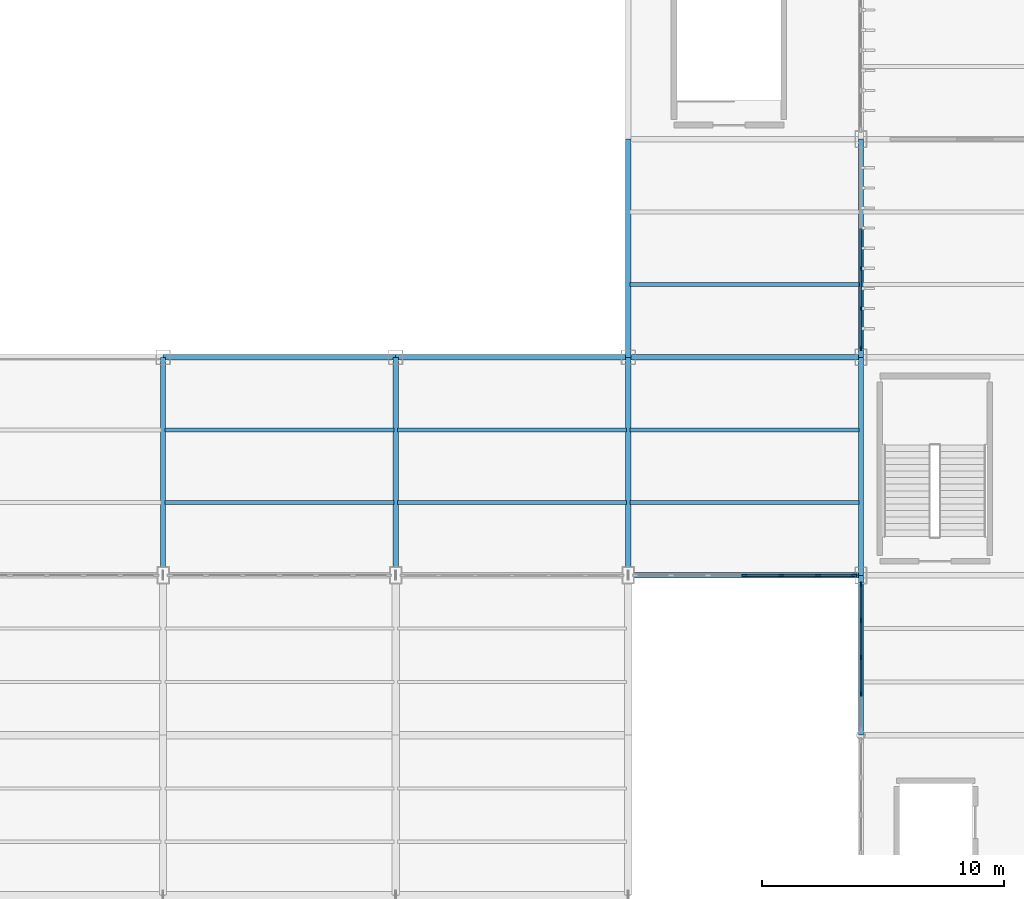
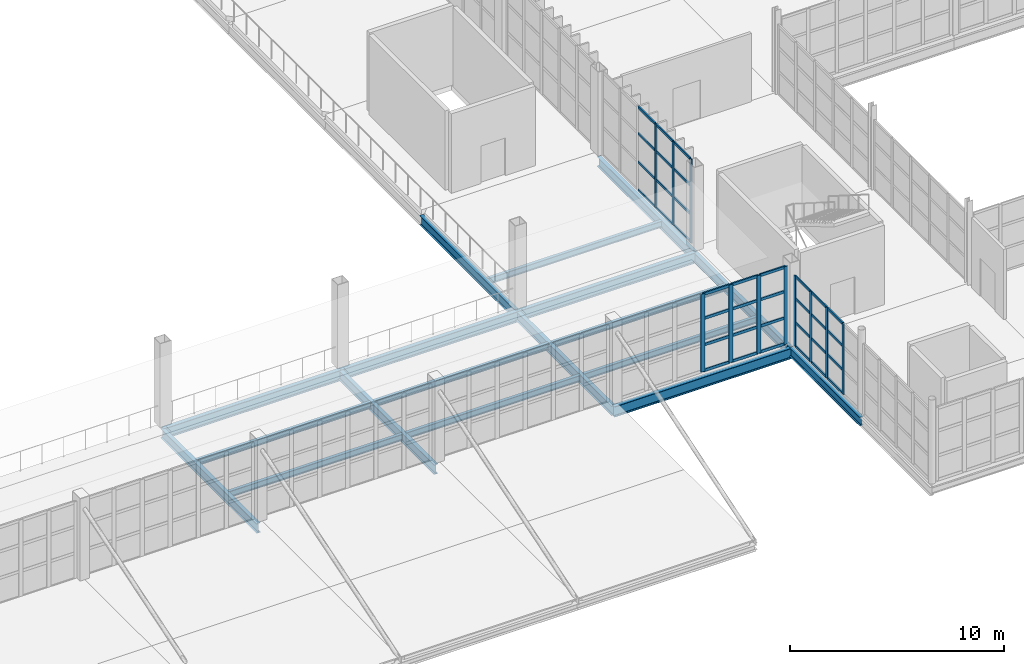
# One storey, part 32 of 120: 47 members, 18 beams, 3 elements without a shape of their own.
"""IFC4 building model written with IfcOpenShell, lengths in metres."""

from ifc_helpers import new_model, si_unit, direction, frame, origin, origin_2d, place, context, subcontext, project, spatial, rectangle, i_section, extrude, material, layer, layer_set, material_profile, profile_set, type_object, element, aggregate, save


model = new_model("IFC4")

# Units and contexts
model_context = context("Model", 3, precision=1e-05, world=origin(), true_north=direction((0.0, 1.0)))
body_context = subcontext(model_context, "Body", "Model", "MODEL_VIEW")
ifc_project = project(units=[si_unit("LENGTHUNIT", "METRE"), si_unit("AREAUNIT", "SQUARE_METRE"), si_unit("VOLUMEUNIT", "CUBIC_METRE"), si_unit("PLANEANGLEUNIT", "RADIAN"), si_unit("MASSUNIT", "GRAM", prefix="KILO")], contexts=[model_context])

# Site, building, storey
site_placement = place(None, origin())
site = spatial("IfcSite", under=ifc_project, at=site_placement, CompositionType="ELEMENT")
building_placement = place(site_placement, origin())
building = spatial("IfcBuilding", under=site, at=building_placement, Name="Zarnetskaya Central Station", CompositionType="ELEMENT")
storey_placement = place(building_placement, frame((0.0, 0.0, 5.39990234375)))
storey = spatial("IfcBuildingStorey", under=building, at=storey_placement, Name="L01", CompositionType="ELEMENT", Elevation=5.39990234375)

# Beams
ifc_material_1 = material(Name="Steel S355", Category="steel")
ifc_material_profile_1 = material_profile(ifc_material_1, i_section(OverallWidth=0.169921875, OverallDepth=0.360107421875, WebThickness=0.008056640625, FlangeThickness=0.0126953125, FilletRadius=0.01806640625, at=origin_2d()), Name="IPE 360")
ifc_profile_set_1 = profile_set([ifc_material_profile_1], Name="Steel S355")
beam_type_1 = type_object("IfcBeamType", Name="BM-SEC-360", PredefinedType="BEAM", material=ifc_profile_set_1)
for number, where, z_axis, x_axis, name in (
    (1, (96.080078125, 16.199951171875, -0.4599609375), (1.0, 0.0, 0.0), (0.0, 1.0, 0.0), "Secondary floor beam SEC-L01-Z512-LM-34-1"),
    (2, (96.080078125, 19.199951171875, -0.4599609375), (1.0, 0.0, 0.0), (0.0, 1.0, 0.0), "Secondary floor beam SEC-L01-Z512-LM-34-2"),
):
    element("IfcBeam", number, at=place(storey_placement, frame(where, z_axis=z_axis, x_axis=x_axis)), inside=storey, type_object=beam_type_1, Name=name, PredefinedType="BEAM", context=body_context, shape_type="SweptSolid", body=[
        extrude(i_section(OverallWidth=0.169921875, OverallDepth=0.360107421875, WebThickness=0.008056640625, FlangeThickness=0.0126953125, FilletRadius=0.01806640625, at=origin_2d()), origin(), (0.0, 0.0, 1.0), 9.43994140625),
    ])
for number, where, z_axis, x_axis, name in (
    (3, (105.679931640625, 16.199951171875, -0.4599609375), (1.0, 0.0, 0.0), (0.0, 1.0, 0.0), "Secondary floor beam SEC-L01-Z512-MN-34-1"),
    (4, (105.679931640625, 19.199951171875, -0.4599609375), (1.0, 0.0, 0.0), (0.0, 1.0, 0.0), "Secondary floor beam SEC-L01-Z512-MN-34-2"),
):
    element("IfcBeam", number, at=place(storey_placement, frame(where, z_axis=z_axis, x_axis=x_axis)), inside=storey, type_object=beam_type_1, Name=name, PredefinedType="BEAM", context=body_context, shape_type="SweptSolid", body=[
        extrude(i_section(OverallWidth=0.169921875, OverallDepth=0.360107421875, WebThickness=0.008056640625, FlangeThickness=0.0126953125, FilletRadius=0.01806640625, at=origin_2d()), origin(), (0.0, 0.0, 1.0), 9.440185546875),
    ])
for number, where, z_axis, x_axis, name in (
    (5, (115.280029296875, 16.199951171875, -0.4599609375), (1.0, 0.0, 0.0), (0.0, 1.0, 0.0), "Secondary floor beam SEC-L01-Z512-NP-34-1"),
    (6, (115.280029296875, 19.199951171875, -0.4599609375), (1.0, 0.0, 0.0), (0.0, 1.0, 0.0), "Secondary floor beam SEC-L01-Z512-NP-34-2"),
    (7, (115.280029296875, 25.199951171875, -0.4599609375), (1.0, 0.0, 0.0), (0.0, 1.0, 0.0), "Secondary floor beam SEC-L01-Z512-NP-45-1"),
):
    element("IfcBeam", number, at=place(storey_placement, frame(where, z_axis=z_axis, x_axis=x_axis)), inside=storey, type_object=beam_type_1, Name=name, PredefinedType="BEAM", context=body_context, shape_type="SweptSolid", body=[
        extrude(i_section(OverallWidth=0.169921875, OverallDepth=0.360107421875, WebThickness=0.008056640625, FlangeThickness=0.0126953125, FilletRadius=0.01806640625, at=origin_2d()), origin(), (0.0, 0.0, 1.0), 9.43994140625),
    ])

# Curtain wall, members
ifc_material_2 = material(Name="Low-E insulated glass", Category="glass")
ifc_layer_1 = layer(ifc_material_2, 0.1640625, Name="Low-E insulated glass", Category="glass")
ifc_layer_set_1 = layer_set([ifc_layer_1], Name="Low-E insulated glass")
curtain_wall_type_1 = type_object("IfcCurtainWallType", Name="CW-SYS-17", PredefinedType="USERDEFINED", material=ifc_layer_set_1)
curtain_wall_1_placement = place(storey_placement, origin())
curtain_wall_1 = element("IfcCurtainWall", 8, at=curtain_wall_1_placement, inside=storey, type_object=curtain_wall_type_1, Name="Curtain wall CW-L01-089", ObjectType="CURTAIN WALL", PredefinedType="USERDEFINED")
ifc_material_3 = material(Name="Anodised aluminium", Category="aluminium")
ifc_material_profile_2 = material_profile(ifc_material_3, rectangle(XDim=0.070068359375, YDim=0.179931640625, at=origin_2d()), Name="ALU MULL 70x180")
ifc_profile_set_2 = profile_set([ifc_material_profile_2], Name="Anodised aluminium")
member_type_1 = type_object("IfcMemberType", Name="CW-MULL-180", PredefinedType="MULLION", material=ifc_profile_set_2)
member_1_placement = place(storey_placement, frame((124.800048828125, 25.8701171875, 0.0), z_axis=(0.0, 0.0, 1.0), x_axis=(1.0, 0.0, 0.0)))
member_1 = element("IfcMember", 9, at=member_1_placement, type_object=member_type_1, Name="CW-03 mullion 4", PredefinedType="MULLION", context=body_context, shape_type="SweptSolid", body=[
    extrude(rectangle(XDim=0.070068359375, YDim=0.179931640625, at=origin_2d()), origin(), (0.0, 0.0, 1.0), 4.800048828125),
])
member_2_placement = place(storey_placement, frame((124.800048828125, 24.2099609375, 0.0), z_axis=(0.0, 0.0, 1.0), x_axis=(1.0, 0.0, 0.0)))
member_2 = element("IfcMember", 10, at=member_2_placement, type_object=member_type_1, Name="CW-03 mullion 5", PredefinedType="MULLION", context=body_context, shape_type="SweptSolid", body=[
    extrude(rectangle(XDim=0.070068359375, YDim=0.179931640625, at=origin_2d()), origin(), (0.0, 0.0, 1.0), 4.800048828125),
])
member_3_placement = place(storey_placement, frame((124.800048828125, 22.5849609375, 0.0), z_axis=(0.0, 0.0, 1.0), x_axis=(1.0, 0.0, 0.0)))
member_3 = element("IfcMember", 11, at=member_3_placement, type_object=member_type_1, Name="CW-03 mullion 6", PredefinedType="MULLION", context=body_context, shape_type="SweptSolid", body=[
    extrude(rectangle(XDim=0.070068359375, YDim=0.179931640625, at=origin_2d()), origin(), (0.0, 0.0, 1.0), 4.800048828125),
])

ifc_layer_2 = layer(ifc_material_2, 0.159912109375, Name="Low-E insulated glass", Category="glass")
ifc_layer_set_2 = layer_set([ifc_layer_2], Name="Low-E insulated glass")
curtain_wall_type_2 = type_object("IfcCurtainWallType", Name="CW-SYS-06", PredefinedType="USERDEFINED", material=ifc_layer_set_2)
curtain_wall_2_placement = place(storey_placement, origin())
curtain_wall_2 = element("IfcCurtainWall", 12, at=curtain_wall_2_placement, inside=storey, type_object=curtain_wall_type_2, Name="Curtain wall CW-L01-111", ObjectType="CURTAIN WALL", PredefinedType="USERDEFINED")
member_4_placement = place(storey_placement, frame((124.800048828125, 8.2958984375, 0.0), z_axis=(0.0, 0.0, 1.0), x_axis=(-1.0, 0.0, 0.0)))
member_4 = element("IfcMember", 13, at=member_4_placement, type_object=member_type_1, Name="CW-02 mullion 2", PredefinedType="MULLION", context=body_context, shape_type="SweptSolid", body=[
    extrude(rectangle(XDim=0.070068359375, YDim=0.179931640625, at=origin_2d()), origin(), (0.0, 0.0, 1.0), 4.0400390625),
])
member_5_placement = place(storey_placement, frame((124.800048828125, 9.81396484375, 0.0), z_axis=(0.0, 0.0, 1.0), x_axis=(-1.0, 0.0, 0.0)))
member_5 = element("IfcMember", 14, at=member_5_placement, type_object=member_type_1, Name="CW-02 mullion 3", PredefinedType="MULLION", context=body_context, shape_type="SweptSolid", body=[
    extrude(rectangle(XDim=0.070068359375, YDim=0.179931640625, at=origin_2d()), origin(), (0.0, 0.0, 1.0), 4.0400390625),
])
member_6_placement = place(storey_placement, frame((124.800048828125, 11.33203125, 0.0), z_axis=(0.0, 0.0, 1.0), x_axis=(-1.0, 0.0, 0.0)))
member_6 = element("IfcMember", 15, at=member_6_placement, type_object=member_type_1, Name="CW-02 mullion 4", PredefinedType="MULLION", context=body_context, shape_type="SweptSolid", body=[
    extrude(rectangle(XDim=0.070068359375, YDim=0.179931640625, at=origin_2d()), origin(), (0.0, 0.0, 1.0), 4.0400390625),
])
member_7_placement = place(storey_placement, frame((124.800048828125, 12.81494140625, 0.0), z_axis=(0.0, 0.0, 1.0), x_axis=(-1.0, 0.0, 0.0)))
member_7 = element("IfcMember", 16, at=member_7_placement, type_object=member_type_1, Name="CW-02 mullion 5", PredefinedType="MULLION", context=body_context, shape_type="SweptSolid", body=[
    extrude(rectangle(XDim=0.070068359375, YDim=0.179931640625, at=origin_2d()), origin(), (0.0, 0.0, 1.0), 4.0400390625),
])

ifc_layer_3 = layer(ifc_material_2, 0.172119140625, Name="Low-E insulated glass", Category="glass")
ifc_layer_set_3 = layer_set([ifc_layer_3], Name="Low-E insulated glass")
curtain_wall_type_3 = type_object("IfcCurtainWallType", Name="CW-SYS-14", PredefinedType="USERDEFINED", material=ifc_layer_set_3)
curtain_wall_3_placement = place(storey_placement, origin())
curtain_wall_3 = element("IfcCurtainWall", 17, at=curtain_wall_3_placement, inside=storey, type_object=curtain_wall_type_3, Name="Curtain wall CW-L01-086", ObjectType="CURTAIN WALL", PredefinedType="USERDEFINED")
ifc_material_profile_3 = material_profile(ifc_material_3, rectangle(XDim=0.080078125, YDim=0.219970703125, at=origin_2d()), Name="ALU MULL 80x220")
ifc_profile_set_3 = profile_set([ifc_material_profile_3], Name="Anodised aluminium")
member_type_2 = type_object("IfcMemberType", Name="CW-MULL-220", PredefinedType="MULLION", material=ifc_profile_set_3)
member_8_placement = place(storey_placement, frame((124.510009765625, 13.199951171875, 0.0), z_axis=(0.0, 0.0, 1.0), x_axis=(0.0, -1.0, 0.0)))
member_8 = element("IfcMember", 18, at=member_8_placement, type_object=member_type_2, Name="CW-17 mullion 1", PredefinedType="MULLION", context=body_context, shape_type="SweptSolid", body=[
    extrude(rectangle(XDim=0.080078125, YDim=0.219970703125, at=origin_2d()), origin(), (0.0, 0.0, 1.0), 4.4501953125),
])
member_9_placement = place(storey_placement, frame((123.033447265625, 13.199951171875, 0.0), z_axis=(0.0, 0.0, 1.0), x_axis=(0.0, -1.0, 0.0)))
member_9 = element("IfcMember", 19, at=member_9_placement, type_object=member_type_2, Name="CW-17 mullion 2", PredefinedType="MULLION", context=body_context, shape_type="SweptSolid", body=[
    extrude(rectangle(XDim=0.080078125, YDim=0.219970703125, at=origin_2d()), origin(), (0.0, 0.0, 1.0), 4.4501953125),
])
member_10_placement = place(storey_placement, frame((121.5166015625, 13.199951171875, 0.0), z_axis=(0.0, 0.0, 1.0), x_axis=(0.0, -1.0, 0.0)))
member_10 = element("IfcMember", 20, at=member_10_placement, type_object=member_type_2, Name="CW-17 mullion 3", PredefinedType="MULLION", context=body_context, shape_type="SweptSolid", body=[
    extrude(rectangle(XDim=0.080078125, YDim=0.219970703125, at=origin_2d()), origin(), (0.0, 0.0, 1.0), 4.4501953125),
])
member_11_placement = place(storey_placement, frame((120.0, 13.199951171875, 0.0), z_axis=(0.0, 0.0, 1.0), x_axis=(0.0, -1.0, 0.0)))
member_11 = element("IfcMember", 21, at=member_11_placement, type_object=member_type_2, Name="CW-17 mullion 4", PredefinedType="MULLION", context=body_context, shape_type="SweptSolid", body=[
    extrude(rectangle(XDim=0.080078125, YDim=0.219970703125, at=origin_2d()), origin(), (0.0, 0.0, 1.0), 4.4501953125),
])

# Member
ifc_material_profile_4 = material_profile(ifc_material_3, rectangle(XDim=0.070068359375, YDim=0.139892578125, at=origin_2d()), Name="ALU TRAN 70x140")
ifc_profile_set_4 = profile_set([ifc_material_profile_4], Name="Anodised aluminium")
member_type_3 = type_object("IfcMemberType", Name="CW-TRAN-140", PredefinedType="USERDEFINED", material=ifc_profile_set_4)
member_12_placement = place(storey_placement, frame((124.800048828125, 27.4951171875, 0.03515625), z_axis=(0.0, -1.0, 0.0), x_axis=(1.0, 0.0, 0.0)))
member_12 = element("IfcMember", 22, at=member_12_placement, type_object=member_type_3, Name="CW-03 transom 3.1", ObjectType="TRANSOM", PredefinedType="USERDEFINED", context=body_context, shape_type="SweptSolid", body=[
    extrude(rectangle(XDim=0.070068359375, YDim=0.139892578125, at=origin_2d()), origin(), (0.0, 0.0, 1.0), 1.590087890625),
])

member_13_placement = place(storey_placement, frame((124.800048828125, 27.4951171875, 1.632080078125), z_axis=(0.0, -1.0, 0.0), x_axis=(1.0, 0.0, 0.0)))
member_13 = element("IfcMember", 23, at=member_13_placement, type_object=member_type_3, Name="CW-03 transom 3.2", ObjectType="TRANSOM", PredefinedType="USERDEFINED", context=body_context, shape_type="SweptSolid", body=[
    extrude(rectangle(XDim=0.070068359375, YDim=0.139892578125, at=origin_2d()), origin(), (0.0, 0.0, 1.0), 1.590087890625),
])

member_14_placement = place(storey_placement, frame((124.800048828125, 27.4951171875, 3.26416015625), z_axis=(0.0, -1.0, 0.0), x_axis=(1.0, 0.0, 0.0)))
member_14 = element("IfcMember", 24, at=member_14_placement, type_object=member_type_3, Name="CW-03 transom 3.3", ObjectType="TRANSOM", PredefinedType="USERDEFINED", context=body_context, shape_type="SweptSolid", body=[
    extrude(rectangle(XDim=0.070068359375, YDim=0.139892578125, at=origin_2d()), origin(), (0.0, 0.0, 1.0), 1.590087890625),
])

member_15_placement = place(storey_placement, frame((124.800048828125, 27.4951171875, 4.76513671875), z_axis=(0.0, -1.0, 0.0), x_axis=(1.0, 0.0, 0.0)))
member_15 = element("IfcMember", 25, at=member_15_placement, type_object=member_type_3, Name="CW-03 transom 3.4", ObjectType="TRANSOM", PredefinedType="USERDEFINED", context=body_context, shape_type="SweptSolid", body=[
    extrude(rectangle(XDim=0.070068359375, YDim=0.139892578125, at=origin_2d()), origin(), (0.0, 0.0, 1.0), 1.590087890625),
])

member_16_placement = place(storey_placement, frame((124.800048828125, 25.8349609375, 0.03515625), z_axis=(0.0, -1.0, 0.0), x_axis=(1.0, 0.0, 0.0)))
member_16 = element("IfcMember", 26, at=member_16_placement, type_object=member_type_3, Name="CW-03 transom 4.1", ObjectType="TRANSOM", PredefinedType="USERDEFINED", context=body_context, shape_type="SweptSolid", body=[
    extrude(rectangle(XDim=0.070068359375, YDim=0.139892578125, at=origin_2d()), origin(), (0.0, 0.0, 1.0), 1.58984375),
])

member_17_placement = place(storey_placement, frame((124.800048828125, 25.8349609375, 1.632080078125), z_axis=(0.0, -1.0, 0.0), x_axis=(1.0, 0.0, 0.0)))
member_17 = element("IfcMember", 27, at=member_17_placement, type_object=member_type_3, Name="CW-03 transom 4.2", ObjectType="TRANSOM", PredefinedType="USERDEFINED", context=body_context, shape_type="SweptSolid", body=[
    extrude(rectangle(XDim=0.070068359375, YDim=0.139892578125, at=origin_2d()), origin(), (0.0, 0.0, 1.0), 1.58984375),
])

member_18_placement = place(storey_placement, frame((124.800048828125, 25.8349609375, 3.26416015625), z_axis=(0.0, -1.0, 0.0), x_axis=(1.0, 0.0, 0.0)))
member_18 = element("IfcMember", 28, at=member_18_placement, type_object=member_type_3, Name="CW-03 transom 4.3", ObjectType="TRANSOM", PredefinedType="USERDEFINED", context=body_context, shape_type="SweptSolid", body=[
    extrude(rectangle(XDim=0.070068359375, YDim=0.139892578125, at=origin_2d()), origin(), (0.0, 0.0, 1.0), 1.58984375),
])

member_19_placement = place(storey_placement, frame((124.800048828125, 25.8349609375, 4.76513671875), z_axis=(0.0, -1.0, 0.0), x_axis=(1.0, 0.0, 0.0)))
member_19 = element("IfcMember", 29, at=member_19_placement, type_object=member_type_3, Name="CW-03 transom 4.4", ObjectType="TRANSOM", PredefinedType="USERDEFINED", context=body_context, shape_type="SweptSolid", body=[
    extrude(rectangle(XDim=0.070068359375, YDim=0.139892578125, at=origin_2d()), origin(), (0.0, 0.0, 1.0), 1.58984375),
])

member_20_placement = place(storey_placement, frame((124.800048828125, 24.175048828125, 0.03515625), z_axis=(0.0, -1.0, 0.0), x_axis=(1.0, 0.0, 0.0)))
member_20 = element("IfcMember", 30, at=member_20_placement, type_object=member_type_3, Name="CW-03 transom 5.1", ObjectType="TRANSOM", PredefinedType="USERDEFINED", context=body_context, shape_type="SweptSolid", body=[
    extrude(rectangle(XDim=0.070068359375, YDim=0.139892578125, at=origin_2d()), origin(), (0.0, 0.0, 1.0), 1.554931640625),
])

member_21_placement = place(storey_placement, frame((124.800048828125, 24.175048828125, 1.632080078125), z_axis=(0.0, -1.0, 0.0), x_axis=(1.0, 0.0, 0.0)))
member_21 = element("IfcMember", 31, at=member_21_placement, type_object=member_type_3, Name="CW-03 transom 5.2", ObjectType="TRANSOM", PredefinedType="USERDEFINED", context=body_context, shape_type="SweptSolid", body=[
    extrude(rectangle(XDim=0.070068359375, YDim=0.139892578125, at=origin_2d()), origin(), (0.0, 0.0, 1.0), 1.554931640625),
])

member_22_placement = place(storey_placement, frame((124.800048828125, 24.175048828125, 3.26416015625), z_axis=(0.0, -1.0, 0.0), x_axis=(1.0, 0.0, 0.0)))
member_22 = element("IfcMember", 32, at=member_22_placement, type_object=member_type_3, Name="CW-03 transom 5.3", ObjectType="TRANSOM", PredefinedType="USERDEFINED", context=body_context, shape_type="SweptSolid", body=[
    extrude(rectangle(XDim=0.070068359375, YDim=0.139892578125, at=origin_2d()), origin(), (0.0, 0.0, 1.0), 1.554931640625),
])

member_23_placement = place(storey_placement, frame((124.800048828125, 24.175048828125, 4.76513671875), z_axis=(0.0, -1.0, 0.0), x_axis=(1.0, 0.0, 0.0)))
member_23 = element("IfcMember", 33, at=member_23_placement, type_object=member_type_3, Name="CW-03 transom 5.4", ObjectType="TRANSOM", PredefinedType="USERDEFINED", context=body_context, shape_type="SweptSolid", body=[
    extrude(rectangle(XDim=0.070068359375, YDim=0.139892578125, at=origin_2d()), origin(), (0.0, 0.0, 1.0), 1.554931640625),
])

aggregate(curtain_wall_1, [member_1, member_2, member_3, member_12, member_13, member_14, member_15, member_16, member_17, member_18, member_19, member_20, member_21, member_22, member_23])

member_24_placement = place(storey_placement, frame((124.800048828125, 8.330810546875, 0.03515625), z_axis=(0.0, 1.0, 0.0), x_axis=(-1.0, 0.0, 0.0)))
member_24 = element("IfcMember", 34, at=member_24_placement, type_object=member_type_3, Name="CW-02 transom 2.1", ObjectType="TRANSOM", PredefinedType="USERDEFINED", context=body_context, shape_type="SweptSolid", body=[
    extrude(rectangle(XDim=0.070068359375, YDim=0.139892578125, at=origin_2d()), origin(), (0.0, 0.0, 1.0), 1.447998046875),
])

member_25_placement = place(storey_placement, frame((124.800048828125, 8.330810546875, 1.3740234375), z_axis=(0.0, 1.0, 0.0), x_axis=(-1.0, 0.0, 0.0)))
member_25 = element("IfcMember", 35, at=member_25_placement, type_object=member_type_3, Name="CW-02 transom 2.2", ObjectType="TRANSOM", PredefinedType="USERDEFINED", context=body_context, shape_type="SweptSolid", body=[
    extrude(rectangle(XDim=0.070068359375, YDim=0.139892578125, at=origin_2d()), origin(), (0.0, 0.0, 1.0), 1.447998046875),
])

member_26_placement = place(storey_placement, frame((124.800048828125, 8.330810546875, 2.7470703125), z_axis=(0.0, 1.0, 0.0), x_axis=(-1.0, 0.0, 0.0)))
member_26 = element("IfcMember", 36, at=member_26_placement, type_object=member_type_3, Name="CW-02 transom 2.3", ObjectType="TRANSOM", PredefinedType="USERDEFINED", context=body_context, shape_type="SweptSolid", body=[
    extrude(rectangle(XDim=0.070068359375, YDim=0.139892578125, at=origin_2d()), origin(), (0.0, 0.0, 1.0), 1.447998046875),
])

member_27_placement = place(storey_placement, frame((124.800048828125, 8.330810546875, 4.005126953125), z_axis=(0.0, 1.0, 0.0), x_axis=(-1.0, 0.0, 0.0)))
member_27 = element("IfcMember", 37, at=member_27_placement, type_object=member_type_3, Name="CW-02 transom 2.4", ObjectType="TRANSOM", PredefinedType="USERDEFINED", context=body_context, shape_type="SweptSolid", body=[
    extrude(rectangle(XDim=0.070068359375, YDim=0.139892578125, at=origin_2d()), origin(), (0.0, 0.0, 1.0), 1.447998046875),
])

member_28_placement = place(storey_placement, frame((124.800048828125, 9.848876953125, 0.03515625), z_axis=(0.0, 1.0, 0.0), x_axis=(-1.0, 0.0, 0.0)))
member_28 = element("IfcMember", 38, at=member_28_placement, type_object=member_type_3, Name="CW-02 transom 3.1", ObjectType="TRANSOM", PredefinedType="USERDEFINED", context=body_context, shape_type="SweptSolid", body=[
    extrude(rectangle(XDim=0.070068359375, YDim=0.139892578125, at=origin_2d()), origin(), (0.0, 0.0, 1.0), 1.447998046875),
])

member_29_placement = place(storey_placement, frame((124.800048828125, 9.848876953125, 1.3740234375), z_axis=(0.0, 1.0, 0.0), x_axis=(-1.0, 0.0, 0.0)))
member_29 = element("IfcMember", 39, at=member_29_placement, type_object=member_type_3, Name="CW-02 transom 3.2", ObjectType="TRANSOM", PredefinedType="USERDEFINED", context=body_context, shape_type="SweptSolid", body=[
    extrude(rectangle(XDim=0.070068359375, YDim=0.139892578125, at=origin_2d()), origin(), (0.0, 0.0, 1.0), 1.447998046875),
])

member_30_placement = place(storey_placement, frame((124.800048828125, 9.848876953125, 2.7470703125), z_axis=(0.0, 1.0, 0.0), x_axis=(-1.0, 0.0, 0.0)))
member_30 = element("IfcMember", 40, at=member_30_placement, type_object=member_type_3, Name="CW-02 transom 3.3", ObjectType="TRANSOM", PredefinedType="USERDEFINED", context=body_context, shape_type="SweptSolid", body=[
    extrude(rectangle(XDim=0.070068359375, YDim=0.139892578125, at=origin_2d()), origin(), (0.0, 0.0, 1.0), 1.447998046875),
])

member_31_placement = place(storey_placement, frame((124.800048828125, 9.848876953125, 4.005126953125), z_axis=(0.0, 1.0, 0.0), x_axis=(-1.0, 0.0, 0.0)))
member_31 = element("IfcMember", 41, at=member_31_placement, type_object=member_type_3, Name="CW-02 transom 3.4", ObjectType="TRANSOM", PredefinedType="USERDEFINED", context=body_context, shape_type="SweptSolid", body=[
    extrude(rectangle(XDim=0.070068359375, YDim=0.139892578125, at=origin_2d()), origin(), (0.0, 0.0, 1.0), 1.447998046875),
])

member_32_placement = place(storey_placement, frame((124.800048828125, 11.366943359375, 0.03515625), z_axis=(0.0, 1.0, 0.0), x_axis=(-1.0, 0.0, 0.0)))
member_32 = element("IfcMember", 42, at=member_32_placement, type_object=member_type_3, Name="CW-02 transom 4.1", ObjectType="TRANSOM", PredefinedType="USERDEFINED", context=body_context, shape_type="SweptSolid", body=[
    extrude(rectangle(XDim=0.070068359375, YDim=0.139892578125, at=origin_2d()), origin(), (0.0, 0.0, 1.0), 1.4130859375),
])

member_33_placement = place(storey_placement, frame((124.800048828125, 11.366943359375, 1.3740234375), z_axis=(0.0, 1.0, 0.0), x_axis=(-1.0, 0.0, 0.0)))
member_33 = element("IfcMember", 43, at=member_33_placement, type_object=member_type_3, Name="CW-02 transom 4.2", ObjectType="TRANSOM", PredefinedType="USERDEFINED", context=body_context, shape_type="SweptSolid", body=[
    extrude(rectangle(XDim=0.070068359375, YDim=0.139892578125, at=origin_2d()), origin(), (0.0, 0.0, 1.0), 1.4130859375),
])

member_34_placement = place(storey_placement, frame((124.800048828125, 11.366943359375, 2.7470703125), z_axis=(0.0, 1.0, 0.0), x_axis=(-1.0, 0.0, 0.0)))
member_34 = element("IfcMember", 44, at=member_34_placement, type_object=member_type_3, Name="CW-02 transom 4.3", ObjectType="TRANSOM", PredefinedType="USERDEFINED", context=body_context, shape_type="SweptSolid", body=[
    extrude(rectangle(XDim=0.070068359375, YDim=0.139892578125, at=origin_2d()), origin(), (0.0, 0.0, 1.0), 1.4130859375),
])

member_35_placement = place(storey_placement, frame((124.800048828125, 11.366943359375, 4.005126953125), z_axis=(0.0, 1.0, 0.0), x_axis=(-1.0, 0.0, 0.0)))
member_35 = element("IfcMember", 45, at=member_35_placement, type_object=member_type_3, Name="CW-02 transom 4.4", ObjectType="TRANSOM", PredefinedType="USERDEFINED", context=body_context, shape_type="SweptSolid", body=[
    extrude(rectangle(XDim=0.070068359375, YDim=0.139892578125, at=origin_2d()), origin(), (0.0, 0.0, 1.0), 1.4130859375),
])

aggregate(curtain_wall_2, [member_4, member_5, member_6, member_7, member_24, member_25, member_26, member_27, member_28, member_29, member_30, member_31, member_32, member_33, member_34, member_35])

ifc_material_profile_5 = material_profile(ifc_material_3, rectangle(XDim=0.080078125, YDim=0.159912109375, at=origin_2d()), Name="ALU TRAN 80x160")
ifc_profile_set_5 = profile_set([ifc_material_profile_5], Name="Anodised aluminium")
member_type_4 = type_object("IfcMemberType", Name="CW-TRAN-160", PredefinedType="USERDEFINED", material=ifc_profile_set_5)
member_36_placement = place(storey_placement, frame((124.469970703125, 13.199951171875, 0.0400390625), z_axis=(-1.0, 0.0, 0.0), x_axis=(0.0, -1.0, 0.0)))
member_36 = element("IfcMember", 46, at=member_36_placement, type_object=member_type_4, Name="CW-17 transom 1.1", ObjectType="TRANSOM", PredefinedType="USERDEFINED", context=body_context, shape_type="SweptSolid", body=[
    extrude(rectangle(XDim=0.080078125, YDim=0.159912109375, at=origin_2d()), origin(), (0.0, 0.0, 1.0), 1.396728515625),
])

member_37_placement = place(storey_placement, frame((124.469970703125, 13.199951171875, 1.51318359375), z_axis=(-1.0, 0.0, 0.0), x_axis=(0.0, -1.0, 0.0)))
member_37 = element("IfcMember", 47, at=member_37_placement, type_object=member_type_4, Name="CW-17 transom 1.2", ObjectType="TRANSOM", PredefinedType="USERDEFINED", context=body_context, shape_type="SweptSolid", body=[
    extrude(rectangle(XDim=0.080078125, YDim=0.159912109375, at=origin_2d()), origin(), (0.0, 0.0, 1.0), 1.396728515625),
])

member_38_placement = place(storey_placement, frame((124.469970703125, 13.199951171875, 3.026123046875), z_axis=(-1.0, 0.0, 0.0), x_axis=(0.0, -1.0, 0.0)))
member_38 = element("IfcMember", 48, at=member_38_placement, type_object=member_type_4, Name="CW-17 transom 1.3", ObjectType="TRANSOM", PredefinedType="USERDEFINED", context=body_context, shape_type="SweptSolid", body=[
    extrude(rectangle(XDim=0.080078125, YDim=0.159912109375, at=origin_2d()), origin(), (0.0, 0.0, 1.0), 1.396728515625),
])

member_39_placement = place(storey_placement, frame((124.469970703125, 13.199951171875, 4.41015625), z_axis=(-1.0, 0.0, 0.0), x_axis=(0.0, -1.0, 0.0)))
member_39 = element("IfcMember", 49, at=member_39_placement, type_object=member_type_4, Name="CW-17 transom 1.4", ObjectType="TRANSOM", PredefinedType="USERDEFINED", context=body_context, shape_type="SweptSolid", body=[
    extrude(rectangle(XDim=0.080078125, YDim=0.159912109375, at=origin_2d()), origin(), (0.0, 0.0, 1.0), 1.396728515625),
])

member_40_placement = place(storey_placement, frame((122.993408203125, 13.199951171875, 0.0400390625), z_axis=(-1.0, 0.0, 0.0), x_axis=(0.0, -1.0, 0.0)))
member_40 = element("IfcMember", 50, at=member_40_placement, type_object=member_type_4, Name="CW-17 transom 2.1", ObjectType="TRANSOM", PredefinedType="USERDEFINED", context=body_context, shape_type="SweptSolid", body=[
    extrude(rectangle(XDim=0.080078125, YDim=0.159912109375, at=origin_2d()), origin(), (0.0, 0.0, 1.0), 1.436767578125),
])

member_41_placement = place(storey_placement, frame((122.993408203125, 13.199951171875, 1.51318359375), z_axis=(-1.0, 0.0, 0.0), x_axis=(0.0, -1.0, 0.0)))
member_41 = element("IfcMember", 51, at=member_41_placement, type_object=member_type_4, Name="CW-17 transom 2.2", ObjectType="TRANSOM", PredefinedType="USERDEFINED", context=body_context, shape_type="SweptSolid", body=[
    extrude(rectangle(XDim=0.080078125, YDim=0.159912109375, at=origin_2d()), origin(), (0.0, 0.0, 1.0), 1.436767578125),
])

member_42_placement = place(storey_placement, frame((122.993408203125, 13.199951171875, 3.026123046875), z_axis=(-1.0, 0.0, 0.0), x_axis=(0.0, -1.0, 0.0)))
member_42 = element("IfcMember", 52, at=member_42_placement, type_object=member_type_4, Name="CW-17 transom 2.3", ObjectType="TRANSOM", PredefinedType="USERDEFINED", context=body_context, shape_type="SweptSolid", body=[
    extrude(rectangle(XDim=0.080078125, YDim=0.159912109375, at=origin_2d()), origin(), (0.0, 0.0, 1.0), 1.436767578125),
])

member_43_placement = place(storey_placement, frame((122.993408203125, 13.199951171875, 4.41015625), z_axis=(-1.0, 0.0, 0.0), x_axis=(0.0, -1.0, 0.0)))
member_43 = element("IfcMember", 53, at=member_43_placement, type_object=member_type_4, Name="CW-17 transom 2.4", ObjectType="TRANSOM", PredefinedType="USERDEFINED", context=body_context, shape_type="SweptSolid", body=[
    extrude(rectangle(XDim=0.080078125, YDim=0.159912109375, at=origin_2d()), origin(), (0.0, 0.0, 1.0), 1.436767578125),
])

member_44_placement = place(storey_placement, frame((121.4765625, 13.199951171875, 0.0400390625), z_axis=(-1.0, 0.0, 0.0), x_axis=(0.0, -1.0, 0.0)))
member_44 = element("IfcMember", 54, at=member_44_placement, type_object=member_type_4, Name="CW-17 transom 3.1", ObjectType="TRANSOM", PredefinedType="USERDEFINED", context=body_context, shape_type="SweptSolid", body=[
    extrude(rectangle(XDim=0.080078125, YDim=0.159912109375, at=origin_2d()), origin(), (0.0, 0.0, 1.0), 1.4365234375),
])

member_45_placement = place(storey_placement, frame((121.4765625, 13.199951171875, 1.51318359375), z_axis=(-1.0, 0.0, 0.0), x_axis=(0.0, -1.0, 0.0)))
member_45 = element("IfcMember", 55, at=member_45_placement, type_object=member_type_4, Name="CW-17 transom 3.2", ObjectType="TRANSOM", PredefinedType="USERDEFINED", context=body_context, shape_type="SweptSolid", body=[
    extrude(rectangle(XDim=0.080078125, YDim=0.159912109375, at=origin_2d()), origin(), (0.0, 0.0, 1.0), 1.4365234375),
])

member_46_placement = place(storey_placement, frame((121.4765625, 13.199951171875, 3.026123046875), z_axis=(-1.0, 0.0, 0.0), x_axis=(0.0, -1.0, 0.0)))
member_46 = element("IfcMember", 56, at=member_46_placement, type_object=member_type_4, Name="CW-17 transom 3.3", ObjectType="TRANSOM", PredefinedType="USERDEFINED", context=body_context, shape_type="SweptSolid", body=[
    extrude(rectangle(XDim=0.080078125, YDim=0.159912109375, at=origin_2d()), origin(), (0.0, 0.0, 1.0), 1.4365234375),
])

member_47_placement = place(storey_placement, frame((121.4765625, 13.199951171875, 4.41015625), z_axis=(-1.0, 0.0, 0.0), x_axis=(0.0, -1.0, 0.0)))
member_47 = element("IfcMember", 57, at=member_47_placement, type_object=member_type_4, Name="CW-17 transom 3.4", ObjectType="TRANSOM", PredefinedType="USERDEFINED", context=body_context, shape_type="SweptSolid", body=[
    extrude(rectangle(XDim=0.080078125, YDim=0.159912109375, at=origin_2d()), origin(), (0.0, 0.0, 1.0), 1.4365234375),
])

aggregate(curtain_wall_3, [member_8, member_9, member_10, member_11, member_36, member_37, member_38, member_39, member_40, member_41, member_42, member_43, member_44, member_45, member_46, member_47])

# Beams
ifc_material_profile_6 = material_profile(ifc_material_1, i_section(OverallWidth=0.199951171875, OverallDepth=0.5, WebThickness=0.01025390625, FlangeThickness=0.01611328125, FilletRadius=0.02099609375, at=origin_2d()), Name="IPE 500")
ifc_profile_set_6 = profile_set([ifc_material_profile_6], Name="Steel S355")
beam_type_2 = type_object("IfcBeamType", Name="GD-FLR-500", PredefinedType="USERDEFINED", material=ifc_profile_set_6)
beam_1_placement = place(storey_placement, frame((124.800048828125, 6.60009765625, -0.52978515625), z_axis=(0.0, 1.0, 0.0), x_axis=(-1.0, 0.0, 0.0)))
element("IfcBeam", 58, at=beam_1_placement, inside=storey, type_object=beam_type_2, Name="Grid girder GY-L01-P-23", ObjectType="GIRDER", PredefinedType="USERDEFINED", context=body_context, shape_type="SweptSolid", body=[
    extrude(i_section(OverallWidth=0.199951171875, OverallDepth=0.5, WebThickness=0.01025390625, FlangeThickness=0.01611328125, FilletRadius=0.02099609375, at=origin_2d()), origin(), (0.0, 0.0, 1.0), 6.599853515625),
])
ifc_material_profile_7 = material_profile(ifc_material_1, i_section(OverallWidth=0.2099609375, OverallDepth=0.550048828125, WebThickness=0.010986328125, FlangeThickness=0.01708984375, FilletRadius=0.02392578125, at=origin_2d()), Name="IPE 550")
ifc_profile_set_7 = profile_set([ifc_material_profile_7], Name="Steel S355")
beam_type_3 = type_object("IfcBeamType", Name="GD-FLR-550", PredefinedType="USERDEFINED", material=ifc_profile_set_7)
for number, where, z_axis, x_axis, name in (
    (59, (96.0, 13.199951171875, -0.554931640625), (0.0, 1.0, 0.0), (-1.0, 0.0, 0.0), "Grid girder GY-L01-L-34"),
    (60, (105.60009765625, 13.199951171875, -0.554931640625), (0.0, 1.0, 0.0), (-1.0, 0.0, 0.0), "Grid girder GY-L01-M-34"),
    (61, (115.199951171875, 13.199951171875, -0.554931640625), (0.0, 1.0, 0.0), (-1.0, 0.0, 0.0), "Grid girder GY-L01-N-34"),
    (62, (115.199951171875, 22.199951171875, -0.554931640625), (0.0, 1.0, 0.0), (-1.0, 0.0, 0.0), "Grid girder GY-L01-N-45"),
    (63, (124.800048828125, 13.199951171875, -0.554931640625), (0.0, 1.0, 0.0), (-1.0, 0.0, 0.0), "Grid girder GY-L01-P-34"),
    (64, (124.800048828125, 22.199951171875, -0.554931640625), (0.0, 1.0, 0.0), (-1.0, 0.0, 0.0), "Grid girder GY-L01-P-45"),
):
    element("IfcBeam", number, at=place(storey_placement, frame(where, z_axis=z_axis, x_axis=x_axis)), inside=storey, type_object=beam_type_3, Name=name, ObjectType="GIRDER", PredefinedType="USERDEFINED", context=body_context, shape_type="SweptSolid", body=[
        extrude(i_section(OverallWidth=0.2099609375, OverallDepth=0.550048828125, WebThickness=0.010986328125, FlangeThickness=0.01708984375, FilletRadius=0.02392578125, at=origin_2d()), origin(), (0.0, 0.0, 1.0), 9.0),
    ])
ifc_material_profile_8 = material_profile(ifc_material_1, i_section(OverallWidth=0.219970703125, OverallDepth=0.60009765625, WebThickness=0.011962890625, FlangeThickness=0.01904296875, FilletRadius=0.02392578125, at=origin_2d()), Name="IPE 600")
ifc_profile_set_8 = profile_set([ifc_material_profile_8], Name="Steel S355")
beam_type_4 = type_object("IfcBeamType", Name="GD-FLR-600", PredefinedType="USERDEFINED", material=ifc_profile_set_8)
beam_2_placement = place(storey_placement, frame((96.0, 22.199951171875, -0.579833984375), z_axis=(1.0, 0.0, 0.0), x_axis=(0.0, 1.0, 0.0)))
element("IfcBeam", 65, at=beam_2_placement, inside=storey, type_object=beam_type_4, Name="Grid girder GX-L01-4-LM", ObjectType="GIRDER", PredefinedType="USERDEFINED", context=body_context, shape_type="SweptSolid", body=[
    extrude(i_section(OverallWidth=0.219970703125, OverallDepth=0.60009765625, WebThickness=0.011962890625, FlangeThickness=0.01904296875, FilletRadius=0.02392578125, at=origin_2d()), origin(), (0.0, 0.0, 1.0), 9.60009765625),
])
beam_3_placement = place(storey_placement, frame((105.60009765625, 22.199951171875, -0.579833984375), z_axis=(1.0, 0.0, 0.0), x_axis=(0.0, 1.0, 0.0)))
element("IfcBeam", 66, at=beam_3_placement, inside=storey, type_object=beam_type_4, Name="Grid girder GX-L01-4-MN", ObjectType="GIRDER", PredefinedType="USERDEFINED", context=body_context, shape_type="SweptSolid", body=[
    extrude(i_section(OverallWidth=0.219970703125, OverallDepth=0.60009765625, WebThickness=0.011962890625, FlangeThickness=0.01904296875, FilletRadius=0.02392578125, at=origin_2d()), origin(), (0.0, 0.0, 1.0), 9.599853515625),
])
for number, where, z_axis, x_axis, name in (
    (67, (115.199951171875, 13.199951171875, -0.579833984375), (1.0, 0.0, 0.0), (0.0, 1.0, 0.0), "Grid girder GX-L01-3-NP"),
    (68, (115.199951171875, 22.199951171875, -0.579833984375), (1.0, 0.0, 0.0), (0.0, 1.0, 0.0), "Grid girder GX-L01-4-NP"),
):
    element("IfcBeam", number, at=place(storey_placement, frame(where, z_axis=z_axis, x_axis=x_axis)), inside=storey, type_object=beam_type_4, Name=name, ObjectType="GIRDER", PredefinedType="USERDEFINED", context=body_context, shape_type="SweptSolid", body=[
        extrude(i_section(OverallWidth=0.219970703125, OverallDepth=0.60009765625, WebThickness=0.011962890625, FlangeThickness=0.01904296875, FilletRadius=0.02392578125, at=origin_2d()), origin(), (0.0, 0.0, 1.0), 9.60009765625),
    ])

save(model, "model.ifc")
